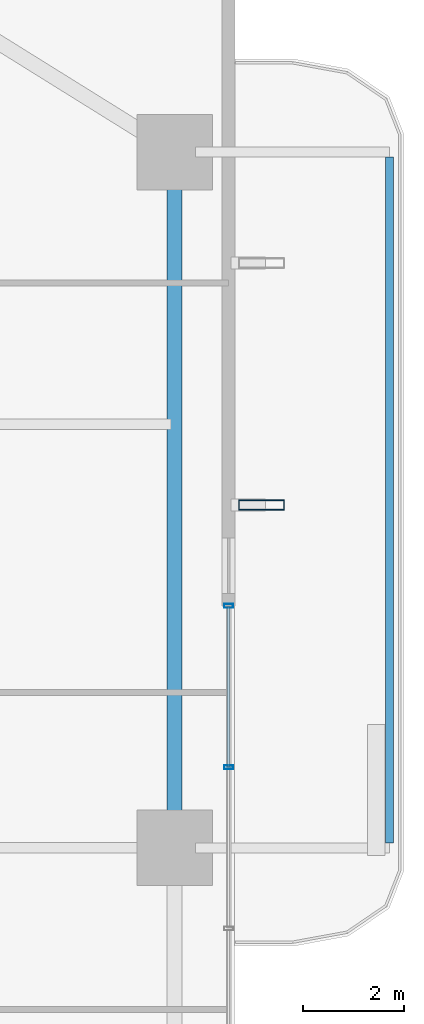
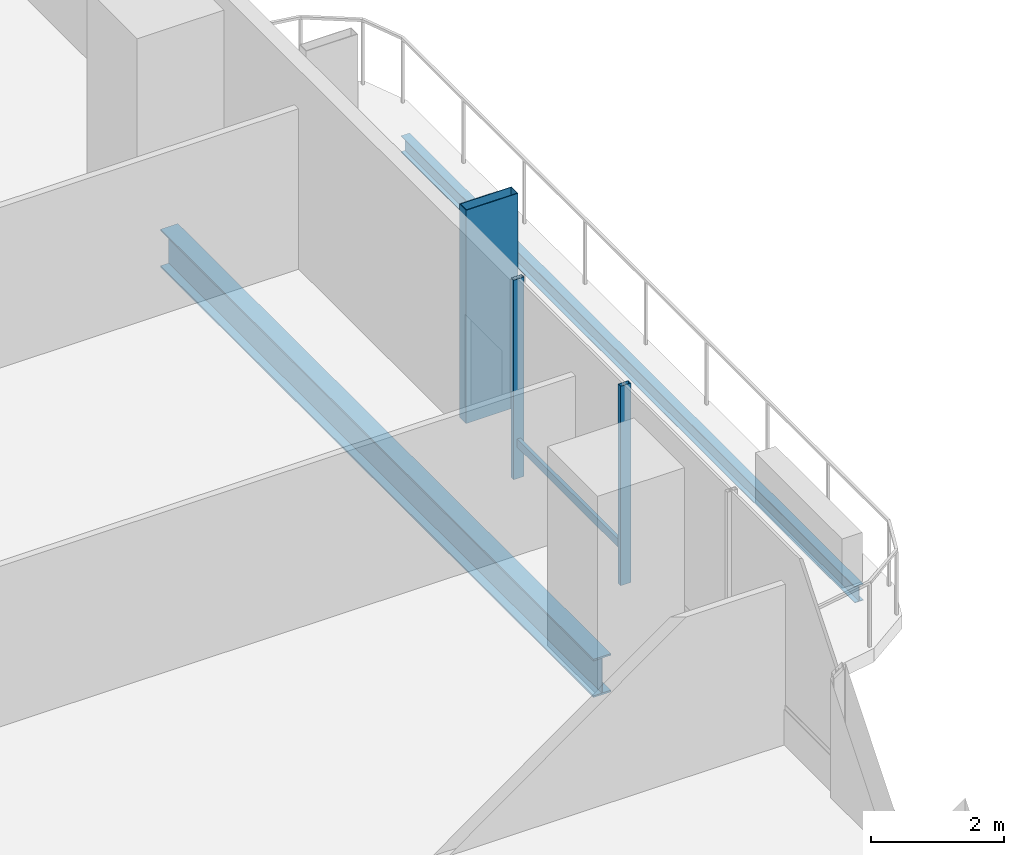
# One storey, part 13 of 24: 4 members, 2 beams, 1 element without a shape of its own.
"""IFC4 building model written with IfcOpenShell, lengths in metres."""

from ifc_helpers import new_model, si_unit, direction, frame, origin, origin_2d, place, context, subcontext, project, spatial, hollow_rectangle, i_section, extrude, material, layer, layer_set, material_profile, profile_set, type_object, element, aggregate, save


model = new_model("IFC4")

# Units and contexts
model_context = context("Model", 3, precision=1e-05, world=origin(), true_north=direction((0.0, 1.0)))
body_context = subcontext(model_context, "Body", "Model", "MODEL_VIEW")
ifc_project = project(units=[si_unit("LENGTHUNIT", "METRE"), si_unit("AREAUNIT", "SQUARE_METRE"), si_unit("VOLUMEUNIT", "CUBIC_METRE"), si_unit("PLANEANGLEUNIT", "RADIAN"), si_unit("MASSUNIT", "GRAM", prefix="KILO")], contexts=[model_context])

# Site, building, storey
site_placement = place(None, origin())
site = spatial("IfcSite", under=ifc_project, at=site_placement, CompositionType="ELEMENT")
building_placement = place(site_placement, origin())
building = spatial("IfcBuilding", under=site, at=building_placement, Name="Belovzor Exchange Tower", CompositionType="ELEMENT")
storey_placement = place(building_placement, frame((0.0, 0.0, 92.39990234375)))
storey = spatial("IfcBuildingStorey", under=building, at=storey_placement, Name="L22", CompositionType="ELEMENT", Elevation=92.39990234375)

# Beam
ifc_material_1 = material(Name="Steel S355", Category="steel")
ifc_material_profile_1 = material_profile(ifc_material_1, i_section(OverallWidth=0.14990234375, OverallDepth=0.300048828125, WebThickness=0.007080078125, FlangeThickness=0.0107421875, at=origin_2d()))
ifc_profile_set_1 = profile_set([ifc_material_profile_1], Name="Steel S355")
beam_type_1 = type_object("IfcBeamType", Name="Planted Balcony Fascia Edge Beam IPE 300", PredefinedType="BEAM", material=ifc_profile_set_1)
beam_1_placement = place(storey_placement, frame((59.762939453125, 28.89990234375, -0.39990234375), z_axis=(0.0, 1.0, 0.0), x_axis=(-1.0, 0.0, 0.0)))
element("IfcBeam", 1, at=beam_1_placement, inside=storey, type_object=beam_type_1, Name="BC-300 Planted Balcony Fascia Edge Beam IPE 300", PredefinedType="BEAM", context=body_context, shape_type="SweptSolid", body=[
    extrude(i_section(OverallWidth=0.14990234375, OverallDepth=0.300048828125, WebThickness=0.007080078125, FlangeThickness=0.0107421875, at=origin_2d()), origin(), (0.0, 0.0, 1.0), 13.60009765625),
])

# Member
ifc_material_2 = material(Name="Extruded Architectural Terracotta on Steel S355 Carrier", Category="masonry")
ifc_material_profile_2 = material_profile(ifc_material_2, hollow_rectangle(XDim=0.199951171875, YDim=0.89990234375, WallThickness=0.011962890625, at=origin_2d()))
ifc_profile_set_2 = profile_set([ifc_material_profile_2], Name="Extruded Architectural Terracotta on Steel S355 Carrier")
member_type_1 = type_object("IfcMemberType", Name="Sweeping Terracotta Baguette Fin Assembly 1250", PredefinedType="USERDEFINED", material=ifc_profile_set_2)
member_1_placement = place(storey_placement, frame((57.22509765625, 35.60009765625, -0.25), z_axis=(0.0, 0.0, 1.0), x_axis=(0.0, 1.0, 0.0)))
element("IfcMember", 2, at=member_1_placement, inside=storey, type_object=member_type_1, Name="FIN-TC125 Terracotta Facade Fin L22 E3", ObjectType="FIN", PredefinedType="USERDEFINED", context=body_context, shape_type="SweptSolid", body=[
    extrude(hollow_rectangle(XDim=0.199951171875, YDim=0.89990234375, WallThickness=0.011962890625, at=origin_2d()), origin(), (0.0, 0.0, 1.0), 3.900146484375),
])

# Curtain wall, members
ifc_material_3 = material(Name="Anodised Aluminium Framing", Category="aluminium")
ifc_layer = layer(ifc_material_3, 0.179931640625)
ifc_layer_set = layer_set([ifc_layer], Name="Anodised Aluminium Framing")
curtain_wall_type = type_object("IfcCurtainWallType", Name="Recessed Loggia Low-Iron Triple-Glazed Curtain Wall", PredefinedType="NOTDEFINED", material=ifc_layer_set)
curtain_wall_placement = place(storey_placement, origin())
curtain_wall = element("IfcCurtainWall", 3, at=curtain_wall_placement, inside=storey, type_object=curtain_wall_type, Name="CW3 Recessed Loggia Low-Iron Triple-Glazed Curtain Wall L22", PredefinedType="NOTDEFINED")
ifc_material_4 = material(Name="Steel S355", Category="steel")
ifc_material_profile_3 = material_profile(ifc_material_4, hollow_rectangle(XDim=0.074951171875, YDim=0.179931640625, WallThickness=0.0048828125, at=origin_2d()))
ifc_profile_set_3 = profile_set([ifc_material_profile_3], Name="Steel S355")
member_type_2 = type_object("IfcMemberType", Name="Thermally Broken Curtain Wall Mullion 180x75", PredefinedType="MULLION", material=ifc_profile_set_3)
member_2_placement = place(storey_placement, frame((56.570068359375, 33.60009765625, 0.0), z_axis=(0.0, 0.0, 1.0), x_axis=(0.0, -1.0, 0.0)))
member_2 = element("IfcMember", 4, at=member_2_placement, type_object=member_type_2, Name="CW-M180 Curtain Wall Mullion 1", PredefinedType="MULLION", context=body_context, shape_type="SweptSolid", body=[
    extrude(hollow_rectangle(XDim=0.074951171875, YDim=0.179931640625, WallThickness=0.0048828125, at=origin_2d()), origin(), (0.0, 0.0, 1.0), 3.650146484375),
])
member_3_placement = place(storey_placement, frame((56.570068359375, 30.39990234375, 0.0), z_axis=(0.0, 0.0, 1.0), x_axis=(0.0, -1.0, 0.0)))
member_3 = element("IfcMember", 5, at=member_3_placement, type_object=member_type_2, Name="CW-M180 Curtain Wall Mullion 2", PredefinedType="MULLION", context=body_context, shape_type="SweptSolid", body=[
    extrude(hollow_rectangle(XDim=0.074951171875, YDim=0.179931640625, WallThickness=0.0048828125, at=origin_2d()), origin(), (0.0, 0.0, 1.0), 3.650146484375),
])
ifc_material_5 = material(Name="Steel S355", Category="steel")
ifc_material_profile_4 = material_profile(ifc_material_5, hollow_rectangle(XDim=0.06005859375, YDim=0.14990234375, WallThickness=0.00390625, at=origin_2d()))
ifc_profile_set_4 = profile_set([ifc_material_profile_4], Name="Steel S355")
member_type_3 = type_object("IfcMemberType", Name="Thermally Broken Curtain Wall Transom 150x60", PredefinedType="USERDEFINED", material=ifc_profile_set_4)
member_4_placement = place(storey_placement, frame((56.570068359375, 33.592041015625, 0.650146484375), z_axis=(0.0, -1.0, 0.0), x_axis=(1.0, 0.0, 0.0)))
member_4 = element("IfcMember", 6, at=member_4_placement, type_object=member_type_3, Name="CW-T150 Curtain Wall Transom 1", ObjectType="TRANSOM", PredefinedType="USERDEFINED", context=body_context, shape_type="SweptSolid", body=[
    extrude(hollow_rectangle(XDim=0.06005859375, YDim=0.14990234375, WallThickness=0.00390625, at=origin_2d()), origin(), (0.0, 0.0, 1.0), 3.18408203125),
])
aggregate(curtain_wall, [member_2, member_3, member_4])

# Beam
ifc_material_6 = material(Name="Steel S355", Category="steel")
ifc_material_profile_5 = material_profile(ifc_material_6, i_section(OverallWidth=0.300048828125, OverallDepth=0.699951171875, WebThickness=0.01708984375, FlangeThickness=0.031982421875, at=origin_2d()))
ifc_profile_set_5 = profile_set([ifc_material_profile_5], Name="Steel S355")
beam_type_2 = type_object("IfcBeamType", Name="Zone 1 Primary Perimeter Girder HEB 700", PredefinedType="BEAM", material=ifc_profile_set_5)
beam_2_placement = place(storey_placement, frame((55.5, 29.212890625, -0.599853515625), z_axis=(0.0, 1.0, 0.0), x_axis=(-1.0, 0.0, 0.0)))
element("IfcBeam", 7, at=beam_2_placement, inside=storey, type_object=beam_type_2, Name="FG-Z1 Zone 1 Primary Perimeter Girder HEB 700", PredefinedType="BEAM", context=body_context, shape_type="SweptSolid", body=[
    extrude(i_section(OverallWidth=0.300048828125, OverallDepth=0.699951171875, WebThickness=0.01708984375, FlangeThickness=0.031982421875, at=origin_2d()), origin(), (0.0, 0.0, 1.0), 12.97509765625),
])

save(model, "model.ifc")
